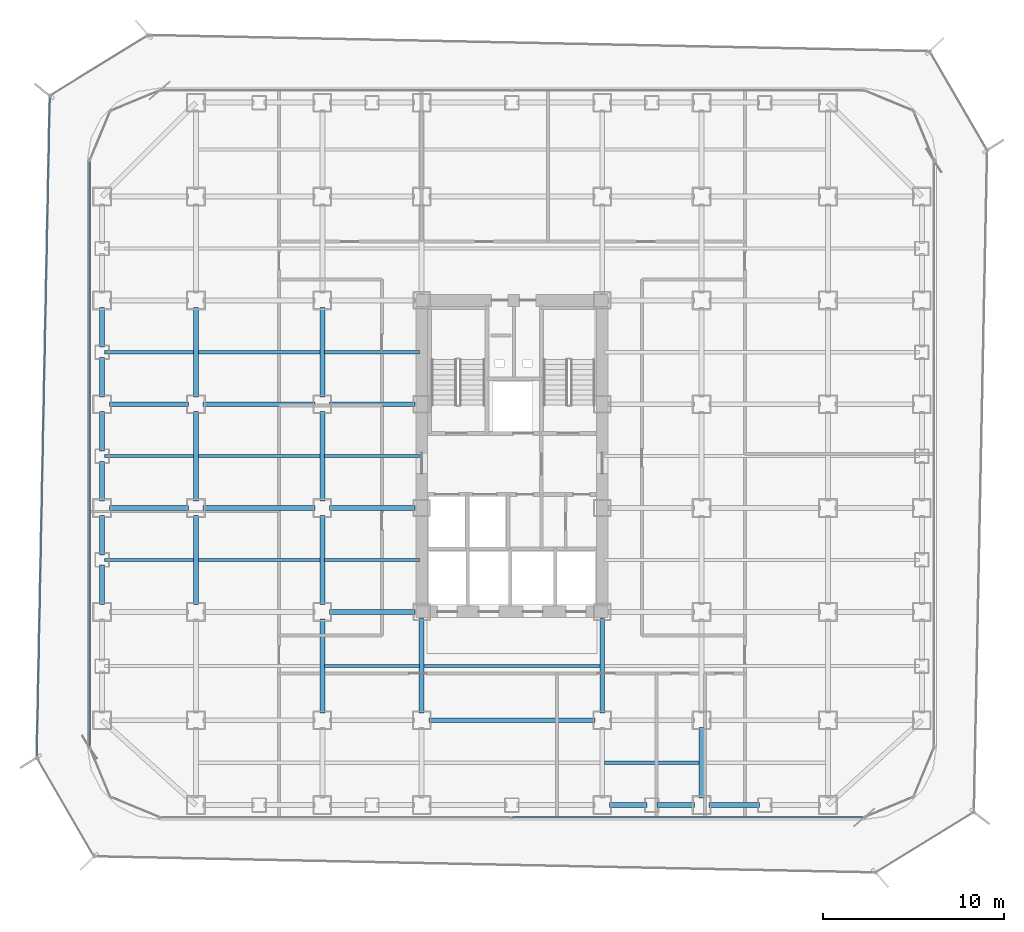
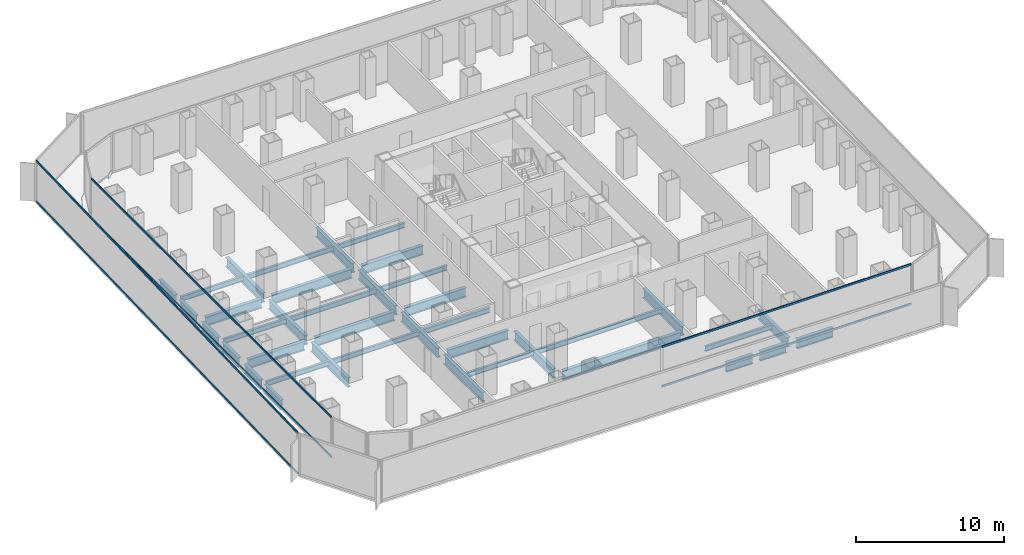
# One storey, part 5 of 21: 39 beams, 6 members, 3 elements without a shape of their own.
"""IFC4 building model written with IfcOpenShell, lengths in metres."""

from ifc_helpers import new_model, si_unit, direction, frame, origin, origin_2d, place, context, subcontext, project, spatial, hollow_rectangle, i_section, extrude, source, transform, mapped, material, layer, layer_set, material_profile, profile_set, type_object, element, aggregate, save


model = new_model("IFC4")

# Units and contexts
model_context = context("Model", 3, precision=1e-05, world=origin(), true_north=direction((0.0, 1.0)))
body_context = subcontext(model_context, "Body", "Model", "MODEL_VIEW")
ifc_project = project(units=[si_unit("LENGTHUNIT", "METRE"), si_unit("AREAUNIT", "SQUARE_METRE"), si_unit("VOLUMEUNIT", "CUBIC_METRE"), si_unit("PLANEANGLEUNIT", "RADIAN"), si_unit("MASSUNIT", "GRAM", prefix="KILO")], contexts=[model_context])

# Site, building, storey
site_placement = place(None, origin())
site = spatial("IfcSite", under=ifc_project, at=site_placement, CompositionType="ELEMENT")
building_placement = place(site_placement, origin())
building = spatial("IfcBuilding", under=site, at=building_placement, Name="Kolveth Station Tower", CompositionType="ELEMENT")
storey_placement = place(building_placement, frame((0.0, 0.0, 44.10009765625)))
storey = spatial("IfcBuildingStorey", under=building, at=storey_placement, Name="L11", CompositionType="ELEMENT", Elevation=44.10009765625)

# Beams
ifc_material_1 = material(Name="Steel S355", Category="steel")
ifc_material_profile_1 = material_profile(ifc_material_1, i_section(OverallWidth=0.26904296875, OverallDepth=0.77490234375, WebThickness=0.01708984375, FlangeThickness=0.0283203125, at=origin_2d()), Name="W760x220")
ifc_profile_set_1 = profile_set([ifc_material_profile_1], Name="Steel S355")
beam_type_1 = type_object("IfcBeamType", Name="Beam_SP1", PredefinedType="SPANDREL", material=ifc_profile_set_1)
shared_shape_1 = source(origin(), body_context, "Body", "SweptSolid", [
    extrude(i_section(OverallWidth=0.26904296875, OverallDepth=0.77490234375, WebThickness=0.01708984375, FlangeThickness=0.0283203125, at=origin_2d()), origin(), (0.0, 0.0, 1.0), 2.820068359375),
])
beam_1_placement = place(storey_placement, frame((34.39990234375, 0.800048828125, -0.66748046875), z_axis=(1.0, 0.0, 0.0), x_axis=(0.0, 1.0, 0.0)))
element("IfcBeam", 1, at=beam_1_placement, inside=storey, type_object=beam_type_1, Name="L11 Perimeter Spandrel BM-L11-PS-9", PredefinedType="SPANDREL", context=body_context, shape_type="MappedRepresentation", body=[
    mapped(shared_shape_1, transform((0.0, 0.0, 0.0), x_axis=(1.0, 0.0, 0.0), y_axis=(0.0, 1.0, 0.0), z_axis=(0.0, 0.0, 1.0), scale=1.0)),
])
shared_shape_2 = source(origin(), body_context, "Body", "SweptSolid", [
    extrude(i_section(OverallWidth=0.26904296875, OverallDepth=0.77490234375, WebThickness=0.01708984375, FlangeThickness=0.0283203125, at=origin_2d()), origin(), (0.0, 0.0, 1.0), 2.070068359375),
])
for number, where, z_axis, x_axis, name in (
    (2, (28.89990234375, 0.800048828125, -0.66748046875), (1.0, 0.0, 0.0), (0.0, 1.0, 0.0), "L11 Perimeter Spandrel BM-L11-PS-7"),
    (3, (31.530029296875, 0.800048828125, -0.66748046875), (1.0, 0.0, 0.0), (0.0, 1.0, 0.0), "L11 Perimeter Spandrel BM-L11-PS-8"),
):
    element("IfcBeam", number, at=place(storey_placement, frame(where, z_axis=z_axis, x_axis=x_axis)), inside=storey, type_object=beam_type_1, Name=name, PredefinedType="SPANDREL", context=body_context, shape_type="MappedRepresentation", body=[
        mapped(shared_shape_2, transform((0.0, 0.0, 0.0), x_axis=(1.0, 0.0, 0.0), y_axis=(0.0, 1.0, 0.0), z_axis=(0.0, 0.0, 1.0), scale=1.0)),
    ])
shared_shape_3 = source(origin(), body_context, "Body", "SweptSolid", [
    extrude(i_section(OverallWidth=0.26904296875, OverallDepth=0.77490234375, WebThickness=0.01708984375, FlangeThickness=0.0283203125, at=origin_2d()), origin(), (0.0, 0.0, 1.0), 2.2001953125),
])
for number, where, z_axis, x_axis, name in (
    (4, (0.800048828125, 11.89990234375, -0.66748046875), (0.0, 1.0, 0.0), (-1.0, 0.0, 0.0), "L11 Perimeter Spandrel BM-L11-PW-3"),
    (5, (0.800048828125, 20.39990234375, -0.66748046875), (0.0, 1.0, 0.0), (-1.0, 0.0, 0.0), "L11 Perimeter Spandrel BM-L11-PW-6"),
    (6, (0.800048828125, 23.39990234375, -0.66748046875), (0.0, 1.0, 0.0), (-1.0, 0.0, 0.0), "L11 Perimeter Spandrel BM-L11-PW-7"),
):
    element("IfcBeam", number, at=place(storey_placement, frame(where, z_axis=z_axis, x_axis=x_axis)), inside=storey, type_object=beam_type_1, Name=name, PredefinedType="SPANDREL", context=body_context, shape_type="MappedRepresentation", body=[
        mapped(shared_shape_3, transform((0.0, 0.0, 0.0), x_axis=(1.0, 0.0, 0.0), y_axis=(0.0, 1.0, 0.0), z_axis=(0.0, 0.0, 1.0), scale=1.0)),
    ])
shared_shape_4 = source(origin(), body_context, "Body", "SweptSolid", [
    extrude(i_section(OverallWidth=0.26904296875, OverallDepth=0.77490234375, WebThickness=0.01708984375, FlangeThickness=0.0283203125, at=origin_2d()), origin(), (0.0, 0.0, 1.0), 2.190185546875),
])
for number, where, z_axis, x_axis, name in (
    (7, (0.800048828125, 14.659912109375, -0.66748046875), (0.0, 1.0, 0.0), (-1.0, 0.0, 0.0), "L11 Perimeter Spandrel BM-L11-PW-4"),
    (8, (0.800048828125, 17.64990234375, -0.66748046875), (0.0, 1.0, 0.0), (-1.0, 0.0, 0.0), "L11 Perimeter Spandrel BM-L11-PW-5"),
    (9, (0.800048828125, 26.159912109375, -0.66748046875), (0.0, 1.0, 0.0), (-1.0, 0.0, 0.0), "L11 Perimeter Spandrel BM-L11-PW-8"),
):
    element("IfcBeam", number, at=place(storey_placement, frame(where, z_axis=z_axis, x_axis=x_axis)), inside=storey, type_object=beam_type_1, Name=name, PredefinedType="SPANDREL", context=body_context, shape_type="MappedRepresentation", body=[
        mapped(shared_shape_4, transform((0.0, 0.0, 0.0), x_axis=(1.0, 0.0, 0.0), y_axis=(0.0, 1.0, 0.0), z_axis=(0.0, 0.0, 1.0), scale=1.0)),
    ])
ifc_material_profile_2 = material_profile(ifc_material_1, i_section(OverallWidth=0.26708984375, OverallDepth=0.76611328125, WebThickness=0.014892578125, FlangeThickness=0.023681640625, at=origin_2d()), Name="W760x185")
ifc_profile_set_2 = profile_set([ifc_material_profile_2], Name="Steel S355")
beam_type_2 = type_object("IfcBeamType", Name="Beam_B3", PredefinedType="BEAM", material=ifc_profile_set_2)
shared_shape_5 = source(origin(), body_context, "Body", "SweptSolid", [
    extrude(i_section(OverallWidth=0.26708984375, OverallDepth=0.76611328125, WebThickness=0.014892578125, FlangeThickness=0.023681640625, at=origin_2d()), origin(), (0.0, 0.0, 1.0), 4.400146484375),
])
for number, where, z_axis, x_axis, name in (
    (10, (1.199951171875, 17.25, -0.6630859375), (1.0, 0.0, 0.0), (0.0, 1.0, 0.0), "L11 Primary Girder BM-L11-GY172-1"),
    (11, (1.199951171875, 23.0, -0.6630859375), (1.0, 0.0, 0.0), (0.0, 1.0, 0.0), "L11 Primary Girder BM-L11-GY230-1"),
):
    element("IfcBeam", number, at=place(storey_placement, frame(where, z_axis=z_axis, x_axis=x_axis)), inside=storey, type_object=beam_type_2, Name=name, PredefinedType="BEAM", context=body_context, shape_type="MappedRepresentation", body=[
        mapped(shared_shape_5, transform((0.0, 0.0, 0.0), x_axis=(1.0, 0.0, 0.0), y_axis=(0.0, 1.0, 0.0), z_axis=(0.0, 0.0, 1.0), scale=1.0)),
    ])
shared_shape_6 = source(origin(), body_context, "Body", "SweptSolid", [
    extrude(i_section(OverallWidth=0.26708984375, OverallDepth=0.76611328125, WebThickness=0.014892578125, FlangeThickness=0.023681640625, at=origin_2d()), origin(), (0.0, 0.0, 1.0), 6.2001953125),
])
for number, where, z_axis, x_axis, name in (
    (12, (6.39990234375, 17.25, -0.6630859375), (1.0, 0.0, 0.0), (0.0, 1.0, 0.0), "L11 Primary Girder BM-L11-GY172-2"),
    (13, (6.39990234375, 23.0, -0.6630859375), (1.0, 0.0, 0.0), (0.0, 1.0, 0.0), "L11 Primary Girder BM-L11-GY230-2"),
):
    element("IfcBeam", number, at=place(storey_placement, frame(where, z_axis=z_axis, x_axis=x_axis)), inside=storey, type_object=beam_type_2, Name=name, PredefinedType="BEAM", context=body_context, shape_type="MappedRepresentation", body=[
        mapped(shared_shape_6, transform((0.0, 0.0, 0.0), x_axis=(1.0, 0.0, 0.0), y_axis=(0.0, 1.0, 0.0), z_axis=(0.0, 0.0, 1.0), scale=1.0)),
    ])
shared_shape_7 = source(origin(), body_context, "Body", "SweptSolid", [
    extrude(i_section(OverallWidth=0.26708984375, OverallDepth=0.76611328125, WebThickness=0.014892578125, FlangeThickness=0.023681640625, at=origin_2d()), origin(), (0.0, 0.0, 1.0), 9.2001953125),
])
beam_2_placement = place(storey_placement, frame((18.89990234375, 5.5, -0.6630859375), z_axis=(1.0, 0.0, 0.0), x_axis=(0.0, 1.0, 0.0)))
element("IfcBeam", 14, at=beam_2_placement, inside=storey, type_object=beam_type_2, Name="L11 Primary Girder BM-L11-GY55-4", PredefinedType="BEAM", context=body_context, shape_type="MappedRepresentation", body=[
    mapped(shared_shape_7, transform((0.0, 0.0, 0.0), x_axis=(1.0, 0.0, 0.0), y_axis=(0.0, 1.0, 0.0), z_axis=(0.0, 0.0, 1.0), scale=1.0)),
])
shared_shape_8 = source(origin(), body_context, "Body", "SweptSolid", [
    extrude(i_section(OverallWidth=0.26708984375, OverallDepth=0.76611328125, WebThickness=0.014892578125, FlangeThickness=0.023681640625, at=origin_2d()), origin(), (0.0, 0.0, 1.0), 4.739990234375),
])
for number, where, z_axis, x_axis, name in (
    (15, (13.39990234375, 11.5, -0.6630859375), (1.0, 0.0, 0.0), (0.0, 1.0, 0.0), "L11 Primary Girder BM-L11-GY115-3"),
    (16, (13.39990234375, 17.25, -0.6630859375), (1.0, 0.0, 0.0), (0.0, 1.0, 0.0), "L11 Primary Girder BM-L11-GY172-3"),
    (17, (13.39990234375, 23.0, -0.6630859375), (1.0, 0.0, 0.0), (0.0, 1.0, 0.0), "L11 Primary Girder BM-L11-GY230-3"),
):
    element("IfcBeam", number, at=place(storey_placement, frame(where, z_axis=z_axis, x_axis=x_axis)), inside=storey, type_object=beam_type_2, Name=name, PredefinedType="BEAM", context=body_context, shape_type="MappedRepresentation", body=[
        mapped(shared_shape_8, transform((0.0, 0.0, 0.0), x_axis=(1.0, 0.0, 0.0), y_axis=(0.0, 1.0, 0.0), z_axis=(0.0, 0.0, 1.0), scale=1.0)),
    ])
shared_shape_9 = source(origin(), body_context, "Body", "SweptSolid", [
    extrude(i_section(OverallWidth=0.26708984375, OverallDepth=0.76611328125, WebThickness=0.014892578125, FlangeThickness=0.023681640625, at=origin_2d()), origin(), (0.0, 0.0, 1.0), 3.900146484375),
])
beam_3_placement = place(storey_placement, frame((34.0, 1.199951171875, -0.6630859375), z_axis=(0.0, 1.0, 0.0), x_axis=(-1.0, 0.0, 0.0)))
element("IfcBeam", 18, at=beam_3_placement, inside=storey, type_object=beam_type_2, Name="L11 Primary Girder BM-L11-GX340-1", PredefinedType="BEAM", context=body_context, shape_type="MappedRepresentation", body=[
    mapped(shared_shape_9, transform((0.0, 0.0, 0.0), x_axis=(1.0, 0.0, 0.0), y_axis=(0.0, 1.0, 0.0), z_axis=(0.0, 0.0, 1.0), scale=1.0)),
])
shared_shape_10 = source(origin(), body_context, "Body", "SweptSolid", [
    extrude(i_section(OverallWidth=0.26708984375, OverallDepth=0.76611328125, WebThickness=0.014892578125, FlangeThickness=0.023681640625, at=origin_2d()), origin(), (0.0, 0.0, 1.0), 5.2001953125),
])
beam_4_placement = place(storey_placement, frame((13.0, 5.89990234375, -0.6630859375), z_axis=(0.0, 1.0, 0.0), x_axis=(-1.0, 0.0, 0.0)))
element("IfcBeam", 19, at=beam_4_placement, inside=storey, type_object=beam_type_2, Name="L11 Primary Girder BM-L11-GX130-2", PredefinedType="BEAM", context=body_context, shape_type="MappedRepresentation", body=[
    mapped(shared_shape_10, transform((0.0, 0.0, 0.0), x_axis=(1.0, 0.0, 0.0), y_axis=(0.0, 1.0, 0.0), z_axis=(0.0, 0.0, 1.0), scale=1.0)),
])
shared_shape_11 = source(origin(), body_context, "Body", "SweptSolid", [
    extrude(i_section(OverallWidth=0.26708984375, OverallDepth=0.76611328125, WebThickness=0.014892578125, FlangeThickness=0.023681640625, at=origin_2d()), origin(), (0.0, 0.0, 1.0), 4.9501953125),
])
for number, where, z_axis, x_axis, name in (
    (20, (6.0, 11.89990234375, -0.6630859375), (0.0, 1.0, 0.0), (-1.0, 0.0, 0.0), "L11 Primary Girder BM-L11-GX60-3"),
    (21, (6.0, 17.64990234375, -0.6630859375), (0.0, 1.0, 0.0), (-1.0, 0.0, 0.0), "L11 Primary Girder BM-L11-GX60-4"),
    (22, (6.0, 23.39990234375, -0.6630859375), (0.0, 1.0, 0.0), (-1.0, 0.0, 0.0), "L11 Primary Girder BM-L11-GX60-5"),
    (23, (13.0, 11.89990234375, -0.6630859375), (0.0, 1.0, 0.0), (-1.0, 0.0, 0.0), "L11 Primary Girder BM-L11-GX130-3"),
    (24, (13.0, 17.64990234375, -0.6630859375), (0.0, 1.0, 0.0), (-1.0, 0.0, 0.0), "L11 Primary Girder BM-L11-GX130-4"),
    (25, (13.0, 23.39990234375, -0.6630859375), (0.0, 1.0, 0.0), (-1.0, 0.0, 0.0), "L11 Primary Girder BM-L11-GX130-5"),
):
    element("IfcBeam", number, at=place(storey_placement, frame(where, z_axis=z_axis, x_axis=x_axis)), inside=storey, type_object=beam_type_2, Name=name, PredefinedType="BEAM", context=body_context, shape_type="MappedRepresentation", body=[
        mapped(shared_shape_11, transform((0.0, 0.0, 0.0), x_axis=(1.0, 0.0, 0.0), y_axis=(0.0, 1.0, 0.0), z_axis=(0.0, 0.0, 1.0), scale=1.0)),
    ])
shared_shape_12 = source(origin(), body_context, "Body", "SweptSolid", [
    extrude(i_section(OverallWidth=0.26708984375, OverallDepth=0.76611328125, WebThickness=0.014892578125, FlangeThickness=0.023681640625, at=origin_2d()), origin(), (0.0, 0.0, 1.0), 5.239990234375),
])
for number, where, z_axis, x_axis, name in (
    (26, (18.5, 5.89990234375, -0.6630859375), (0.0, 1.0, 0.0), (-1.0, 0.0, 0.0), "L11 Primary Girder BM-L11-GX185-2"),
    (27, (28.5, 5.89990234375, -0.6630859375), (0.0, 1.0, 0.0), (-1.0, 0.0, 0.0), "L11 Primary Girder BM-L11-GX285-2"),
):
    element("IfcBeam", number, at=place(storey_placement, frame(where, z_axis=z_axis, x_axis=x_axis)), inside=storey, type_object=beam_type_2, Name=name, PredefinedType="BEAM", context=body_context, shape_type="MappedRepresentation", body=[
        mapped(shared_shape_12, transform((0.0, 0.0, 0.0), x_axis=(1.0, 0.0, 0.0), y_axis=(0.0, 1.0, 0.0), z_axis=(0.0, 0.0, 1.0), scale=1.0)),
    ])
ifc_material_profile_3 = material_profile(ifc_material_1, i_section(OverallWidth=0.177978515625, OverallDepth=0.406982421875, WebThickness=0.0078125, FlangeThickness=0.0126953125, at=origin_2d()), Name="W410x60")
ifc_profile_set_3 = profile_set([ifc_material_profile_3], Name="Steel S355")
beam_type_3 = type_object("IfcBeamType", Name="Beam_J1", PredefinedType="JOIST", material=ifc_profile_set_3)
shared_shape_13 = source(origin(), body_context, "Body", "SweptSolid", [
    extrude(i_section(OverallWidth=0.177978515625, OverallDepth=0.406982421875, WebThickness=0.0078125, FlangeThickness=0.0126953125, at=origin_2d()), origin(), (0.0, 0.0, 1.0), 4.935791015625),
])
for number, where, z_axis, x_axis, name in (
    (28, (0.9326171875, 14.375, -0.483642578125), (1.0, 0.0, 0.0), (0.0, 1.0, 0.0), "L11 Secondary Joist JST-L11-1-3"),
    (29, (0.9326171875, 20.125, -0.483642578125), (1.0, 0.0, 0.0), (0.0, 1.0, 0.0), "L11 Secondary Joist JST-L11-1-4"),
    (30, (0.9326171875, 25.875, -0.483642578125), (1.0, 0.0, 0.0), (0.0, 1.0, 0.0), "L11 Secondary Joist JST-L11-1-5"),
):
    element("IfcBeam", number, at=place(storey_placement, frame(where, z_axis=z_axis, x_axis=x_axis)), inside=storey, type_object=beam_type_3, Name=name, PredefinedType="JOIST", context=body_context, shape_type="MappedRepresentation", body=[
        mapped(shared_shape_13, transform((0.0, 0.0, 0.0), x_axis=(1.0, 0.0, 0.0), y_axis=(0.0, 1.0, 0.0), z_axis=(0.0, 0.0, 1.0), scale=1.0)),
    ])
shared_shape_14 = source(origin(), body_context, "Body", "SweptSolid", [
    extrude(i_section(OverallWidth=0.177978515625, OverallDepth=0.406982421875, WebThickness=0.0078125, FlangeThickness=0.0126953125, at=origin_2d()), origin(), (0.0, 0.0, 1.0), 6.73681640625),
])
for number, where, z_axis, x_axis, name in (
    (31, (6.131591796875, 14.375, -0.483642578125), (1.0, 0.0, 0.0), (0.0, 1.0, 0.0), "L11 Secondary Joist JST-L11-2-3"),
    (32, (6.131591796875, 20.125, -0.483642578125), (1.0, 0.0, 0.0), (0.0, 1.0, 0.0), "L11 Secondary Joist JST-L11-2-4"),
    (33, (6.131591796875, 25.875, -0.483642578125), (1.0, 0.0, 0.0), (0.0, 1.0, 0.0), "L11 Secondary Joist JST-L11-2-5"),
):
    element("IfcBeam", number, at=place(storey_placement, frame(where, z_axis=z_axis, x_axis=x_axis)), inside=storey, type_object=beam_type_3, Name=name, PredefinedType="JOIST", context=body_context, shape_type="MappedRepresentation", body=[
        mapped(shared_shape_14, transform((0.0, 0.0, 0.0), x_axis=(1.0, 0.0, 0.0), y_axis=(0.0, 1.0, 0.0), z_axis=(0.0, 0.0, 1.0), scale=1.0)),
    ])
shared_shape_15 = source(origin(), body_context, "Body", "SweptSolid", [
    extrude(i_section(OverallWidth=0.177978515625, OverallDepth=0.406982421875, WebThickness=0.0078125, FlangeThickness=0.0126953125, at=origin_2d()), origin(), (0.0, 0.0, 1.0), 5.23681640625),
])
for number, where, z_axis, x_axis, name in (
    (34, (13.131591796875, 8.5, -0.483642578125), (1.0, 0.0, 0.0), (0.0, 1.0, 0.0), "L11 Secondary Joist JST-L11-3-2"),
    (35, (13.131591796875, 14.375, -0.483642578125), (1.0, 0.0, 0.0), (0.0, 1.0, 0.0), "L11 Secondary Joist JST-L11-3-3"),
    (36, (13.131591796875, 20.125, -0.483642578125), (1.0, 0.0, 0.0), (0.0, 1.0, 0.0), "L11 Secondary Joist JST-L11-3-4"),
    (37, (13.131591796875, 25.875, -0.483642578125), (1.0, 0.0, 0.0), (0.0, 1.0, 0.0), "L11 Secondary Joist JST-L11-3-5"),
    (38, (28.631591796875, 3.14990234375, -0.483642578125), (1.0, 0.0, 0.0), (0.0, 1.0, 0.0), "L11 Secondary Joist JST-L11-5-1"),
):
    element("IfcBeam", number, at=place(storey_placement, frame(where, z_axis=z_axis, x_axis=x_axis)), inside=storey, type_object=beam_type_3, Name=name, PredefinedType="JOIST", context=body_context, shape_type="MappedRepresentation", body=[
        mapped(shared_shape_15, transform((0.0, 0.0, 0.0), x_axis=(1.0, 0.0, 0.0), y_axis=(0.0, 1.0, 0.0), z_axis=(0.0, 0.0, 1.0), scale=1.0)),
    ])
shared_shape_16 = source(origin(), body_context, "Body", "SweptSolid", [
    extrude(i_section(OverallWidth=0.177978515625, OverallDepth=0.406982421875, WebThickness=0.0078125, FlangeThickness=0.0126953125, at=origin_2d()), origin(), (0.0, 0.0, 1.0), 9.73681640625),
])
beam_5_placement = place(storey_placement, frame((18.631591796875, 8.5, -0.483642578125), z_axis=(1.0, 0.0, 0.0), x_axis=(0.0, 1.0, 0.0)))
element("IfcBeam", 39, at=beam_5_placement, inside=storey, type_object=beam_type_3, Name="L11 Secondary Joist JST-L11-4-2", PredefinedType="JOIST", context=body_context, shape_type="MappedRepresentation", body=[
    mapped(shared_shape_16, transform((0.0, 0.0, 0.0), x_axis=(1.0, 0.0, 0.0), y_axis=(0.0, 1.0, 0.0), z_axis=(0.0, 0.0, 1.0), scale=1.0)),
])

# Curtain wall, members
ifc_material_2 = material(Name="Aluminium 6063-T6 and low-E dark glass", Category="aluminium")
ifc_layer_1 = layer(ifc_material_2, 0.179931640625)
ifc_layer_set_1 = layer_set([ifc_layer_1], Name="Aluminium 6063-T6 and low-E dark glass")
curtain_wall_type_1 = type_object("IfcCurtainWallType", Name="CurtainWall_CW-Z1", PredefinedType="NOTDEFINED", material=ifc_layer_set_1)
curtain_wall_1_placement = place(storey_placement, origin())
curtain_wall_1 = element("IfcCurtainWall", 40, at=curtain_wall_1_placement, inside=storey, type_object=curtain_wall_type_1, Name="L11 Inner Thermal Curtain Wall 9", PredefinedType="NOTDEFINED")
ifc_material_3 = material(Name="Black anodized aluminium 6063-T6", Category="aluminium")
ifc_material_profile_4 = material_profile(ifc_material_3, hollow_rectangle(XDim=0.074951171875, YDim=0.159912109375, WallThickness=0.0048828125, at=origin_2d()), Name="ALU-75x160x5")
ifc_profile_set_4 = profile_set([ifc_material_profile_4], Name="Black anodized aluminium 6063-T6")
member_type_1 = type_object("IfcMemberType", Name="Transom_TR1", PredefinedType="USERDEFINED", material=ifc_profile_set_4)
shared_shape_17 = source(origin(), body_context, "Body", "SweptSolid", [
    extrude(hollow_rectangle(XDim=0.074951171875, YDim=0.159912109375, WallThickness=0.0048828125, at=origin_2d()), origin(), (0.0, 0.0, 1.0), 32.35009765625),
])
member_1_placement = place(storey_placement, frame((0.1201171875, 36.425048828125, 0.037353515625), z_axis=(0.0, -1.0, 0.0), x_axis=(1.0, 0.0, 0.0)))
member_1 = element("IfcMember", 41, at=member_1_placement, type_object=member_type_1, Name="CW-Z1 transom 1.1", ObjectType="TRANSOM", PredefinedType="USERDEFINED", context=body_context, shape_type="MappedRepresentation", body=[
    mapped(shared_shape_17, transform((0.0, 0.0, 0.0), x_axis=(1.0, 0.0, 0.0), y_axis=(0.0, 1.0, 0.0), z_axis=(0.0, 0.0, 1.0), scale=1.0)),
])
member_2_placement = place(storey_placement, frame((0.1201171875, 36.425048828125, 3.282470703125), z_axis=(0.0, -1.0, 0.0), x_axis=(1.0, 0.0, 0.0)))
member_2 = element("IfcMember", 42, at=member_2_placement, type_object=member_type_1, Name="CW-Z1 transom 1.2", ObjectType="TRANSOM", PredefinedType="USERDEFINED", context=body_context, shape_type="MappedRepresentation", body=[
    mapped(shared_shape_17, transform((0.0, 0.0, 0.0), x_axis=(1.0, 0.0, 0.0), y_axis=(0.0, 1.0, 0.0), z_axis=(0.0, 0.0, 1.0), scale=1.0)),
])
aggregate(curtain_wall_1, [member_1, member_2])

curtain_wall_2_placement = place(storey_placement, origin())
curtain_wall_2 = element("IfcCurtainWall", 43, at=curtain_wall_2_placement, inside=storey, type_object=curtain_wall_type_1, Name="L11 Inner Thermal Curtain Wall 12", PredefinedType="NOTDEFINED")
shared_shape_18 = source(origin(), body_context, "Body", "SweptSolid", [
    extrude(hollow_rectangle(XDim=0.074951171875, YDim=0.159912109375, WallThickness=0.0048828125, at=origin_2d()), origin(), (0.0, 0.0, 1.0), 19.387451171875),
])
member_3_placement = place(storey_placement, frame((23.53759765625, 0.1201171875, 0.037353515625), z_axis=(1.0, 0.0, 0.0), x_axis=(0.0, 1.0, 0.0)))
member_3 = element("IfcMember", 44, at=member_3_placement, type_object=member_type_1, Name="CW-Z1 transom 2.1", ObjectType="TRANSOM", PredefinedType="USERDEFINED", context=body_context, shape_type="MappedRepresentation", body=[
    mapped(shared_shape_18, transform((0.0, 0.0, 0.0), x_axis=(1.0, 0.0, 0.0), y_axis=(0.0, 1.0, 0.0), z_axis=(0.0, 0.0, 1.0), scale=1.0)),
])
member_4_placement = place(storey_placement, frame((23.53759765625, 0.1201171875, 3.282470703125), z_axis=(1.0, 0.0, 0.0), x_axis=(0.0, 1.0, 0.0)))
member_4 = element("IfcMember", 45, at=member_4_placement, type_object=member_type_1, Name="CW-Z1 transom 2.2", ObjectType="TRANSOM", PredefinedType="USERDEFINED", context=body_context, shape_type="MappedRepresentation", body=[
    mapped(shared_shape_18, transform((0.0, 0.0, 0.0), x_axis=(1.0, 0.0, 0.0), y_axis=(0.0, 1.0, 0.0), z_axis=(0.0, 0.0, 1.0), scale=1.0)),
])
aggregate(curtain_wall_2, [member_3, member_4])

ifc_material_4 = material(Name="Black anodized aluminium 6063-T6 and dark solar glass", Category="aluminium")
ifc_layer_2 = layer(ifc_material_4, 0.159912109375)
ifc_layer_set_2 = layer_set([ifc_layer_2], Name="Black anodized aluminium 6063-T6 and dark solar glass")
curtain_wall_type_2 = type_object("IfcCurtainWallType", Name="OUTER SKIN CW-OS", PredefinedType="NOTDEFINED", material=ifc_layer_set_2)
curtain_wall_3_placement = place(storey_placement, origin())
curtain_wall_3 = element("IfcCurtainWall", 46, at=curtain_wall_3_placement, inside=storey, type_object=curtain_wall_type_2, Name="L11 Outer Ventilated Skin Curtain Wall 6", PredefinedType="NOTDEFINED")
ifc_material_profile_5 = material_profile(ifc_material_3, hollow_rectangle(XDim=0.080078125, YDim=0.14990234375, WallThickness=0.0048828125, at=origin_2d()), Name="ALU-80x150x5")
ifc_profile_set_5 = profile_set([ifc_material_profile_5], Name="Black anodized aluminium 6063-T6")
member_type_2 = type_object("IfcMemberType", Name="Transom_TR-OS", PredefinedType="USERDEFINED", material=ifc_profile_set_5)
shared_shape_19 = source(origin(), body_context, "Body", "SweptSolid", [
    extrude(hollow_rectangle(XDim=0.080078125, YDim=0.14990234375, WallThickness=0.0048828125, at=origin_2d()), origin(), (0.0, 0.0, 1.0), 36.4755859375),
])
member_5_placement = place(storey_placement, frame((-2.090576171875, 39.99560546875, 0.039794921875), z_axis=(-0.019791938303, -0.999804120405, 0.0), x_axis=(0.999804120405, -0.019791938303, 0.0)))
member_5 = element("IfcMember", 47, at=member_5_placement, type_object=member_type_2, Name="CW-OS transom 1.1", ObjectType="TRANSOM", PredefinedType="USERDEFINED", context=body_context, shape_type="MappedRepresentation", body=[
    mapped(shared_shape_19, transform((0.0, 0.0, 0.0), x_axis=(1.0, 0.0, 0.0), y_axis=(0.0, 1.0, 0.0), z_axis=(0.0, 0.0, 1.0), scale=1.0)),
])
member_6_placement = place(storey_placement, frame((-2.090576171875, 39.99560546875, 3.349853515625), z_axis=(-0.019791938303, -0.999804120405, 0.0), x_axis=(0.999804120405, -0.019791938303, 0.0)))
member_6 = element("IfcMember", 48, at=member_6_placement, type_object=member_type_2, Name="CW-OS transom 1.2", ObjectType="TRANSOM", PredefinedType="USERDEFINED", context=body_context, shape_type="MappedRepresentation", body=[
    mapped(shared_shape_19, transform((0.0, 0.0, 0.0), x_axis=(1.0, 0.0, 0.0), y_axis=(0.0, 1.0, 0.0), z_axis=(0.0, 0.0, 1.0), scale=1.0)),
])
aggregate(curtain_wall_3, [member_5, member_6])

save(model, "model.ifc")
